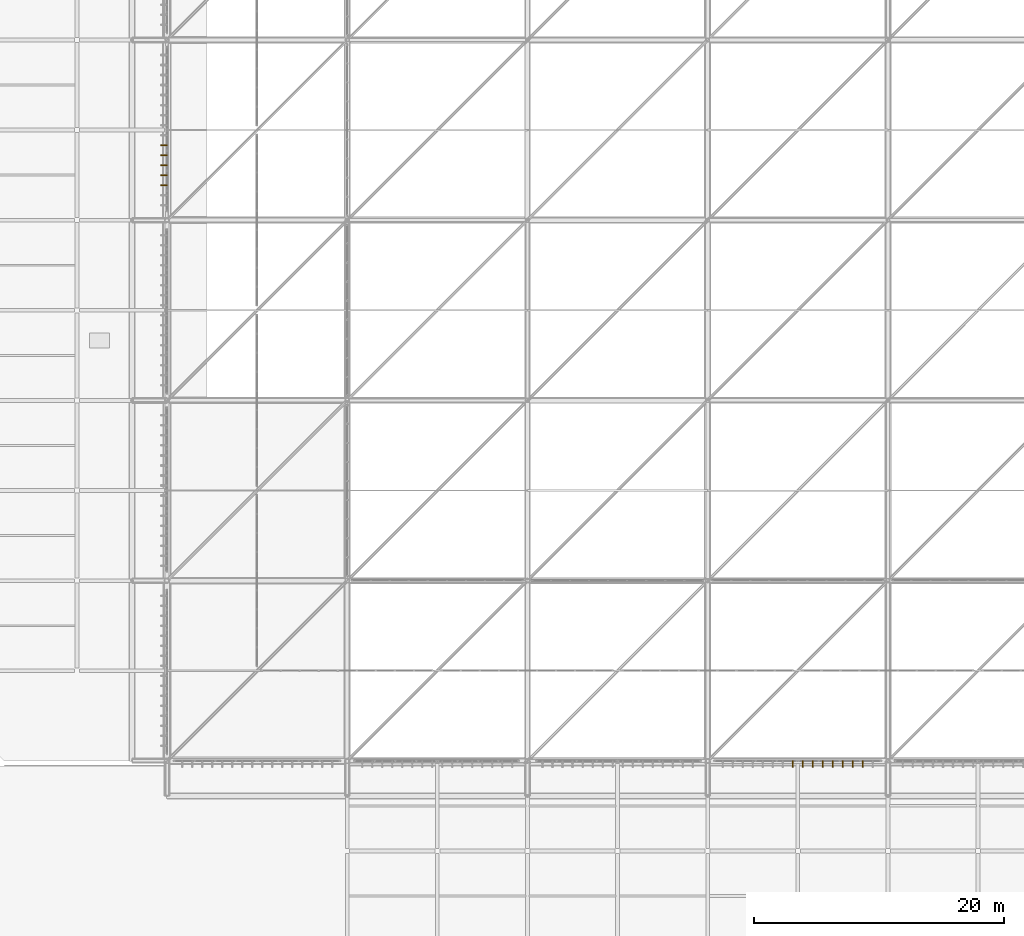
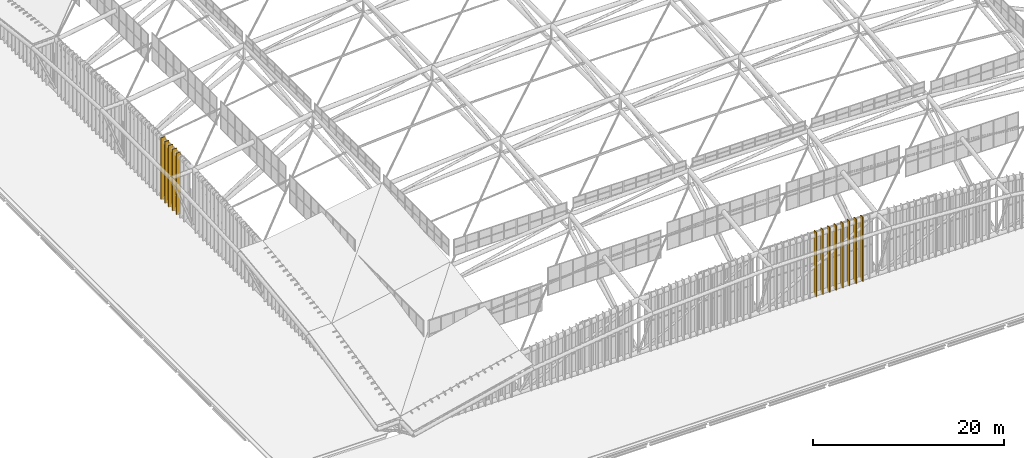
# One storey, part 388 of 397: 13 coverings.
"""IFC4 building model written with IfcOpenShell, lengths in metres."""

from ifc_helpers import new_model, si_unit, direction, frame, origin, origin_2d, place, context, subcontext, project, spatial, rectangle, extrude, material, layer, layer_set, type_object, element, save


model = new_model("IFC4")

# Units and contexts
model_context = context("Model", 3, precision=1e-05, world=origin(), true_north=direction((0.0, 1.0)))
body_context = subcontext(model_context, "Body", "Model", "MODEL_VIEW")
ifc_project = project(units=[si_unit("LENGTHUNIT", "METRE"), si_unit("AREAUNIT", "SQUARE_METRE"), si_unit("VOLUMEUNIT", "CUBIC_METRE"), si_unit("PLANEANGLEUNIT", "RADIAN"), si_unit("MASSUNIT", "GRAM", prefix="KILO")], contexts=[model_context])

# Site, building, storey
site_placement = place(None, origin())
site = spatial("IfcSite", under=ifc_project, at=site_placement, CompositionType="ELEMENT")
building_placement = place(site_placement, origin())
building = spatial("IfcBuilding", under=site, at=building_placement, Name="Qandorah Velis Arena", CompositionType="ELEMENT")
storey_placement = place(building_placement, frame((0.0, 0.0, 27.5)))
storey = spatial("IfcBuildingStorey", under=building, at=storey_placement, Name="RF", CompositionType="ELEMENT", Elevation=27.5)

# Coverings
ifc_material = material(Name="Champagne-bronze anodized aluminium 6063-T6", Category="aluminium")
ifc_layer = layer(ifc_material, 0.0849609375)
ifc_layer_set = layer_set([ifc_layer], Name="Champagne-bronze anodized aluminium 6063-T6")
covering_type = type_object("IfcCoveringType", Name="ARC-COV-FIN520", PredefinedType="CLADDING", material=ifc_layer_set)
covering_1_placement = place(storey_placement, frame((14.14501953125, 60.39990234375, -0.010009765625), z_axis=(0.0, 0.0, 1.0), x_axis=(1.0, 0.0, 0.0)))
element("IfcCovering", 1, at=covering_1_placement, inside=storey, type_object=covering_type, Name="Arched crown champagne-bronze solar fin 1.4.3", PredefinedType="CLADDING", context=body_context, shape_type="SweptSolid", body=[
    extrude(rectangle(XDim=0.52001953125, YDim=0.0849609375, at=origin_2d()), origin(), (0.0, 0.0, 1.0), 7.89208984375),
])
covering_2_placement = place(storey_placement, frame((14.14501953125, 61.199951171875, -0.010009765625), z_axis=(0.0, 0.0, 1.0), x_axis=(1.0, 0.0, 0.0)))
element("IfcCovering", 2, at=covering_2_placement, inside=storey, type_object=covering_type, Name="Arched crown champagne-bronze solar fin 1.4.4", PredefinedType="CLADDING", context=body_context, shape_type="SweptSolid", body=[
    extrude(rectangle(XDim=0.52001953125, YDim=0.0849609375, at=origin_2d()), origin(), (0.0, 0.0, 1.0), 7.904296875),
])
covering_3_placement = place(storey_placement, frame((14.14501953125, 62.0, -0.009765625), z_axis=(0.0, 0.0, 1.0), x_axis=(1.0, 0.0, 0.0)))
element("IfcCovering", 3, at=covering_3_placement, inside=storey, type_object=covering_type, Name="Arched crown champagne-bronze solar fin 1.4.5", PredefinedType="CLADDING", context=body_context, shape_type="SweptSolid", body=[
    extrude(rectangle(XDim=0.52001953125, YDim=0.0849609375, at=origin_2d()), origin(), (0.0, 0.0, 1.0), 7.913818359375),
])
covering_4_placement = place(storey_placement, frame((14.14501953125, 62.800048828125, -0.01025390625), z_axis=(0.0, 0.0, 1.0), x_axis=(1.0, 0.0, 0.0)))
element("IfcCovering", 4, at=covering_4_placement, inside=storey, type_object=covering_type, Name="Arched crown champagne-bronze solar fin 1.4.6", PredefinedType="CLADDING", context=body_context, shape_type="SweptSolid", body=[
    extrude(rectangle(XDim=0.52001953125, YDim=0.0849609375, at=origin_2d()), origin(), (0.0, 0.0, 1.0), 7.921142578125),
])
covering_5_placement = place(storey_placement, frame((14.14501953125, 63.60009765625, -0.010009765625), z_axis=(0.0, 0.0, 1.0), x_axis=(1.0, 0.0, 0.0)))
element("IfcCovering", 5, at=covering_5_placement, inside=storey, type_object=covering_type, Name="Arched crown champagne-bronze solar fin 1.4.7", PredefinedType="CLADDING", context=body_context, shape_type="SweptSolid", body=[
    extrude(rectangle(XDim=0.52001953125, YDim=0.0849609375, at=origin_2d()), origin(), (0.0, 0.0, 1.0), 7.92578125),
])
for number, where, z_axis, x_axis, name in (
    (6, (64.39990234375, 14.14501953125, -0.009765625), (0.0, 0.0, 1.0), (1.0, 0.0, 0.0), "Arched crown champagne-bronze solar fin 3.4.8"),
    (7, (65.199951171875, 14.14501953125, -0.009765625), (0.0, 0.0, 1.0), (1.0, 0.0, 0.0), "Arched crown champagne-bronze solar fin 3.4.9"),
):
    element("IfcCovering", number, at=place(storey_placement, frame(where, z_axis=z_axis, x_axis=x_axis)), inside=storey, type_object=covering_type, Name=name, PredefinedType="CLADDING", context=body_context, shape_type="SweptSolid", body=[
        extrude(rectangle(XDim=0.0849609375, YDim=0.52001953125, at=origin_2d()), origin(), (0.0, 0.0, 1.0), 8.316650390625),
    ])
covering_6_placement = place(storey_placement, frame((66.0, 14.14501953125, -0.009765625), z_axis=(0.0, 0.0, 1.0), x_axis=(1.0, 0.0, 0.0)))
element("IfcCovering", 8, at=covering_6_placement, inside=storey, type_object=covering_type, Name="Arched crown champagne-bronze solar fin 3.4.10", PredefinedType="CLADDING", context=body_context, shape_type="SweptSolid", body=[
    extrude(rectangle(XDim=0.0849609375, YDim=0.52001953125, at=origin_2d()), origin(), (0.0, 0.0, 1.0), 8.314208984375),
])
covering_7_placement = place(storey_placement, frame((66.800048828125, 14.14501953125, -0.01025390625), z_axis=(0.0, 0.0, 1.0), x_axis=(1.0, 0.0, 0.0)))
element("IfcCovering", 9, at=covering_7_placement, inside=storey, type_object=covering_type, Name="Arched crown champagne-bronze solar fin 3.4.11", PredefinedType="CLADDING", context=body_context, shape_type="SweptSolid", body=[
    extrude(rectangle(XDim=0.0849609375, YDim=0.52001953125, at=origin_2d()), origin(), (0.0, 0.0, 1.0), 8.309326171875),
])
covering_8_placement = place(storey_placement, frame((67.60009765625, 14.14501953125, -0.010009765625), z_axis=(0.0, 0.0, 1.0), x_axis=(1.0, 0.0, 0.0)))
element("IfcCovering", 10, at=covering_8_placement, inside=storey, type_object=covering_type, Name="Arched crown champagne-bronze solar fin 3.4.12", PredefinedType="CLADDING", context=body_context, shape_type="SweptSolid", body=[
    extrude(rectangle(XDim=0.0849609375, YDim=0.52001953125, at=origin_2d()), origin(), (0.0, 0.0, 1.0), 8.3017578125),
])
covering_9_placement = place(storey_placement, frame((68.39990234375, 14.14501953125, -0.009765625), z_axis=(0.0, 0.0, 1.0), x_axis=(1.0, 0.0, 0.0)))
element("IfcCovering", 11, at=covering_9_placement, inside=storey, type_object=covering_type, Name="Arched crown champagne-bronze solar fin 3.4.13", PredefinedType="CLADDING", context=body_context, shape_type="SweptSolid", body=[
    extrude(rectangle(XDim=0.0849609375, YDim=0.52001953125, at=origin_2d()), origin(), (0.0, 0.0, 1.0), 8.291748046875),
])
covering_10_placement = place(storey_placement, frame((69.199951171875, 14.14501953125, -0.010009765625), z_axis=(0.0, 0.0, 1.0), x_axis=(1.0, 0.0, 0.0)))
element("IfcCovering", 12, at=covering_10_placement, inside=storey, type_object=covering_type, Name="Arched crown champagne-bronze solar fin 3.4.14", PredefinedType="CLADDING", context=body_context, shape_type="SweptSolid", body=[
    extrude(rectangle(XDim=0.0849609375, YDim=0.52001953125, at=origin_2d()), origin(), (0.0, 0.0, 1.0), 8.279296875),
])
covering_11_placement = place(storey_placement, frame((70.0, 14.14501953125, -0.009765625), z_axis=(0.0, 0.0, 1.0), x_axis=(1.0, 0.0, 0.0)))
element("IfcCovering", 13, at=covering_11_placement, inside=storey, type_object=covering_type, Name="Arched crown champagne-bronze solar fin 3.4.15", PredefinedType="CLADDING", context=body_context, shape_type="SweptSolid", body=[
    extrude(rectangle(XDim=0.0849609375, YDim=0.52001953125, at=origin_2d()), origin(), (0.0, 0.0, 1.0), 8.264404296875),
])

save(model, "model.ifc")
